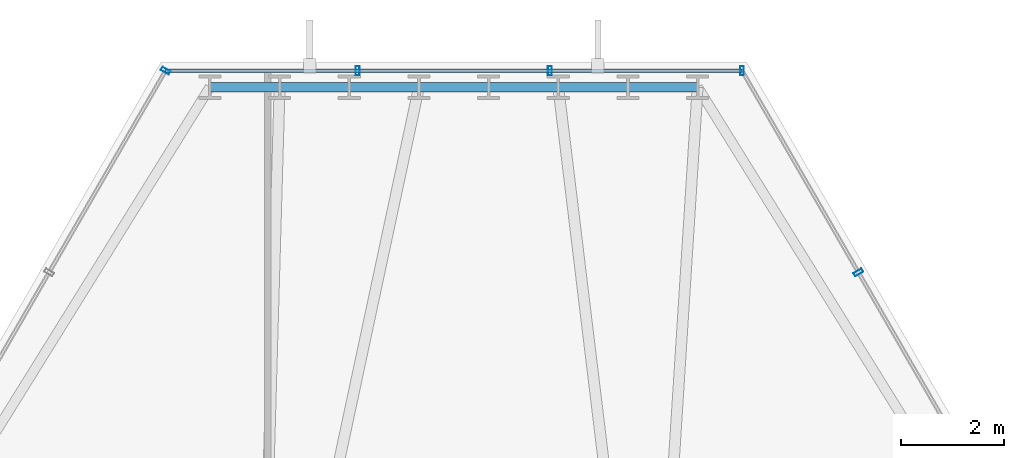
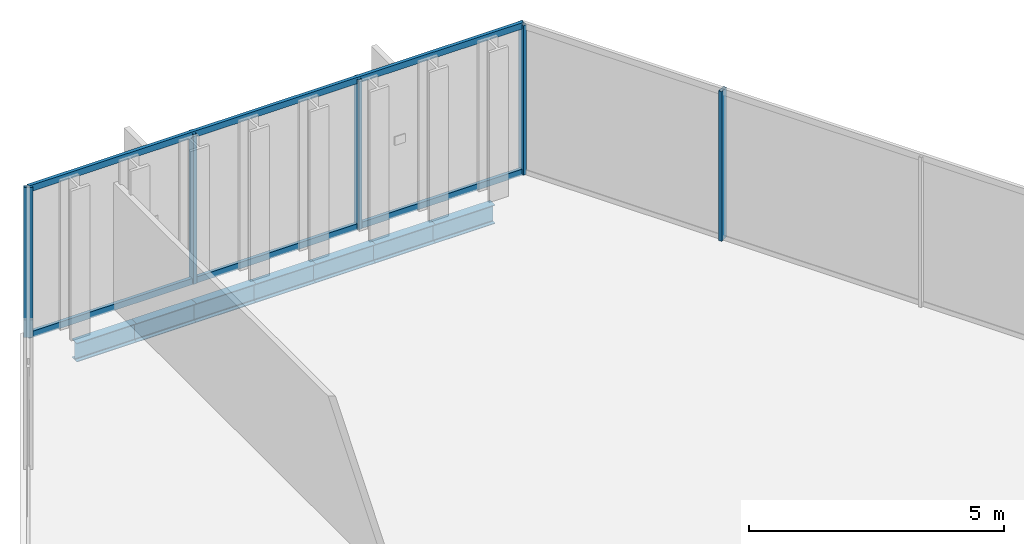
# One storey, part 23 of 33: 7 beams, 7 members, 3 elements without a shape of their own.
"""IFC4 building model written with IfcOpenShell, lengths in metres."""

from ifc_helpers import new_model, si_unit, direction, frame, origin, origin_2d, place, context, subcontext, project, spatial, hollow_rectangle, i_section, extrude, material, layer, layer_set, material_profile, profile_set, type_object, element, aggregate, save


model = new_model("IFC4")

# Units and contexts
model_context = context("Model", 3, precision=1e-05, world=origin(), true_north=direction((0.0, 1.0)))
body_context = subcontext(model_context, "Body", "Model", "MODEL_VIEW")
ifc_project = project(units=[si_unit("LENGTHUNIT", "METRE"), si_unit("AREAUNIT", "SQUARE_METRE"), si_unit("VOLUMEUNIT", "CUBIC_METRE"), si_unit("PLANEANGLEUNIT", "RADIAN"), si_unit("MASSUNIT", "GRAM", prefix="KILO")], contexts=[model_context])

# Site, building, storey
site_placement = place(None, origin())
site = spatial("IfcSite", under=ifc_project, at=site_placement, CompositionType="ELEMENT")
building_placement = place(site_placement, origin())
building = spatial("IfcBuilding", under=site, at=building_placement, Name="Ndaravel Arena Tower", CompositionType="ELEMENT")
storey_placement = place(building_placement, frame((0.0, 0.0, 153.60009765625)))
storey = spatial("IfcBuildingStorey", under=building, at=storey_placement, Name="L36", CompositionType="ELEMENT", Elevation=153.60009765625)

# Beams
ifc_material_1 = material(Name="Steel S355", Category="steel")
ifc_material_profile_1 = material_profile(ifc_material_1, i_section(OverallWidth=0.18994140625, OverallDepth=0.449951171875, WebThickness=0.009521484375, FlangeThickness=0.0146484375, FilletRadius=0.02099609375, at=origin_2d()), Name="IPE 450")
ifc_profile_set_1 = profile_set([ifc_material_profile_1], Name="Steel S355")
beam_type = type_object("IfcBeamType", Name="BM-SPAN-IPE450", PredefinedType="SPANDREL", material=ifc_profile_set_1)
for number, where, z_axis, x_axis, name in (
    (1, (46.731201171875, 45.833740234375, -0.445068359375), (-1.0, 0.0, 0.0), (0.0, -1.0, 0.0), "L36 Perimeter Spandrel Beam SP-11"),
    (2, (45.37939453125, 45.833740234375, -0.445068359375), (-1.0, 0.0, 0.0), (0.0, -1.0, 0.0), "L36 Perimeter Spandrel Beam SP-12"),
    (3, (44.027587890625, 45.833740234375, -0.445068359375), (-1.0, 0.0, 0.0), (0.0, -1.0, 0.0), "L36 Perimeter Spandrel Beam SP-13"),
):
    element("IfcBeam", number, at=place(storey_placement, frame(where, z_axis=z_axis, x_axis=x_axis)), inside=storey, type_object=beam_type, Name=name, PredefinedType="SPANDREL", context=body_context, shape_type="SweptSolid", body=[
        extrude(i_section(OverallWidth=0.18994140625, OverallDepth=0.449951171875, WebThickness=0.009521484375, FlangeThickness=0.0146484375, FilletRadius=0.02099609375, at=origin_2d()), origin(), (0.0, 0.0, 1.0), 1.351806640625),
    ])
beam_placement = place(storey_placement, frame((42.67578125, 45.833740234375, -0.445068359375), z_axis=(-1.0, 0.0, 0.0), x_axis=(0.0, -1.0, 0.0)))
element("IfcBeam", 4, at=beam_placement, inside=storey, type_object=beam_type, Name="L36 Perimeter Spandrel Beam SP-14", PredefinedType="SPANDREL", context=body_context, shape_type="SweptSolid", body=[
    extrude(i_section(OverallWidth=0.18994140625, OverallDepth=0.449951171875, WebThickness=0.009521484375, FlangeThickness=0.0146484375, FilletRadius=0.02099609375, at=origin_2d()), origin(), (0.0, 0.0, 1.0), 1.3515625),
])
for number, where, z_axis, x_axis, name in (
    (5, (41.32421875, 45.833740234375, -0.445068359375), (-1.0, 0.0, 0.0), (0.0, -1.0, 0.0), "L36 Perimeter Spandrel Beam SP-15"),
    (6, (39.972412109375, 45.833740234375, -0.445068359375), (-1.0, 0.0, 0.0), (0.0, -1.0, 0.0), "L36 Perimeter Spandrel Beam SP-16"),
    (7, (38.62060546875, 45.833740234375, -0.445068359375), (-1.0, 0.0, 0.0), (0.0, -1.0, 0.0), "L36 Perimeter Spandrel Beam SP-17"),
):
    element("IfcBeam", number, at=place(storey_placement, frame(where, z_axis=z_axis, x_axis=x_axis)), inside=storey, type_object=beam_type, Name=name, PredefinedType="SPANDREL", context=body_context, shape_type="SweptSolid", body=[
        extrude(i_section(OverallWidth=0.18994140625, OverallDepth=0.449951171875, WebThickness=0.009521484375, FlangeThickness=0.0146484375, FilletRadius=0.02099609375, at=origin_2d()), origin(), (0.0, 0.0, 1.0), 1.351806640625),
    ])

# Curtain wall, member
ifc_material_2 = material(Name="Aluminium", Category="aluminium")
ifc_layer_1 = layer(ifc_material_2, 0.179931640625)
ifc_layer_set_1 = layer_set([ifc_layer_1], Name="Aluminium")
curtain_wall_type_1 = type_object("IfcCurtainWallType", Name="CW-SYS-03", PredefinedType="NOTDEFINED", material=ifc_layer_set_1)
curtain_wall_1_placement = place(storey_placement, origin())
curtain_wall_1 = element("IfcCurtainWall", 8, at=curtain_wall_1_placement, inside=storey, type_object=curtain_wall_type_1, Name="L36 Faceted Crystal Curtain Wall CW-L36-E03", PredefinedType="NOTDEFINED")
ifc_material_3 = material(Name="Aluminium", Category="aluminium")
ifc_material_profile_2 = material_profile(ifc_material_3, hollow_rectangle(XDim=0.074951171875, YDim=0.179931640625, WallThickness=0.00390625, at=origin_2d()), Name="CW MULLION 75x180x4")
ifc_profile_set_2 = profile_set([ifc_material_profile_2], Name="Aluminium")
member_type_1 = type_object("IfcMemberType", Name="MEM-CW-MUL180", PredefinedType="MULLION", material=ifc_profile_set_2)
member_1_placement = place(storey_placement, frame((49.851318359375, 42.240234375, 0.0), z_axis=(0.0, 0.0, 1.0), x_axis=(-0.5, 0.866025403784, 0.0)))
member_1 = element("IfcMember", 9, at=member_1_placement, type_object=member_type_1, Name="CW-L36-E03 Mullion 07", PredefinedType="MULLION", context=body_context, shape_type="SweptSolid", body=[
    extrude(hollow_rectangle(XDim=0.074951171875, YDim=0.179931640625, WallThickness=0.00390625, at=origin_2d()), origin(), (0.0, 0.0, 1.0), 3.579833984375),
])
aggregate(curtain_wall_1, [member_1])

# Curtain wall, members
ifc_material_4 = material(Name="Aluminium", Category="aluminium")
ifc_layer_2 = layer(ifc_material_4, 0.179931640625)
ifc_layer_set_2 = layer_set([ifc_layer_2], Name="Aluminium")
curtain_wall_type_2 = type_object("IfcCurtainWallType", Name="CW-SYS-01", PredefinedType="NOTDEFINED", material=ifc_layer_set_2)
curtain_wall_2_placement = place(storey_placement, origin())
curtain_wall_2 = element("IfcCurtainWall", 10, at=curtain_wall_2_placement, inside=storey, type_object=curtain_wall_type_2, Name="L36 Faceted Crystal Curtain Wall CW-L36-E04", PredefinedType="NOTDEFINED")
member_2_placement = place(storey_placement, frame((47.591796875, 46.15380859375, 0.0), z_axis=(0.0, 0.0, 1.0), x_axis=(-1.0, 0.0, 0.0)))
member_2 = element("IfcMember", 11, at=member_2_placement, type_object=member_type_1, Name="CW-L36-E04 Mullion 00", PredefinedType="MULLION", context=body_context, shape_type="SweptSolid", body=[
    extrude(hollow_rectangle(XDim=0.074951171875, YDim=0.179931640625, WallThickness=0.00390625, at=origin_2d()), origin(), (0.0, 0.0, 1.0), 3.579833984375),
])
member_3_placement = place(storey_placement, frame((43.864013671875, 46.15380859375, 0.0), z_axis=(0.0, 0.0, 1.0), x_axis=(-1.0, 0.0, 0.0)))
member_3 = element("IfcMember", 12, at=member_3_placement, type_object=member_type_1, Name="CW-L36-E04 Mullion 01", PredefinedType="MULLION", context=body_context, shape_type="SweptSolid", body=[
    extrude(hollow_rectangle(XDim=0.074951171875, YDim=0.179931640625, WallThickness=0.00390625, at=origin_2d()), origin(), (0.0, 0.0, 1.0), 3.579833984375),
])
member_4_placement = place(storey_placement, frame((40.135986328125, 46.15380859375, 0.0), z_axis=(0.0, 0.0, 1.0), x_axis=(-1.0, 0.0, 0.0)))
member_4 = element("IfcMember", 13, at=member_4_placement, type_object=member_type_1, Name="CW-L36-E04 Mullion 02", PredefinedType="MULLION", context=body_context, shape_type="SweptSolid", body=[
    extrude(hollow_rectangle(XDim=0.074951171875, YDim=0.179931640625, WallThickness=0.00390625, at=origin_2d()), origin(), (0.0, 0.0, 1.0), 3.579833984375),
])

# Curtain wall, member
curtain_wall_3_placement = place(storey_placement, origin())
curtain_wall_3 = element("IfcCurtainWall", 14, at=curtain_wall_3_placement, inside=storey, type_object=curtain_wall_type_1, Name="L36 Faceted Crystal Curtain Wall CW-L36-E05", PredefinedType="NOTDEFINED")
member_5_placement = place(storey_placement, frame((36.408203125, 46.15380859375, 0.0), z_axis=(0.0, 0.0, 1.0), x_axis=(-0.5, -0.866025403784, 0.0)))
member_5 = element("IfcMember", 15, at=member_5_placement, type_object=member_type_1, Name="CW-L36-E05 Mullion 00", PredefinedType="MULLION", context=body_context, shape_type="SweptSolid", body=[
    extrude(hollow_rectangle(XDim=0.074951171875, YDim=0.179931640625, WallThickness=0.00390625, at=origin_2d()), origin(), (0.0, 0.0, 1.0), 3.579833984375),
])
aggregate(curtain_wall_3, [member_5])

# Member
ifc_material_5 = material(Name="Aluminium", Category="aluminium")
ifc_material_profile_3 = material_profile(ifc_material_5, hollow_rectangle(XDim=0.074951171875, YDim=0.14990234375, WallThickness=0.00390625, at=origin_2d()), Name="CW TRANSOM 75x150x4")
ifc_profile_set_3 = profile_set([ifc_material_profile_3], Name="Aluminium")
member_type_2 = type_object("IfcMemberType", Name="MEM-CW-TRN150", PredefinedType="USERDEFINED", material=ifc_profile_set_3)
member_6_placement = place(storey_placement, frame((47.591796875, 46.15380859375, 0.039794921875), z_axis=(-1.0, 0.0, 0.0), x_axis=(0.0, -1.0, 0.0)))
member_6 = element("IfcMember", 16, at=member_6_placement, type_object=member_type_2, Name="CW-L36-E04 Transom 01", ObjectType="TRANSOM", PredefinedType="USERDEFINED", context=body_context, shape_type="SweptSolid", body=[
    extrude(hollow_rectangle(XDim=0.074951171875, YDim=0.14990234375, WallThickness=0.00390625, at=origin_2d()), origin(), (0.0, 0.0, 1.0), 11.18359375),
])

member_7_placement = place(storey_placement, frame((47.591796875, 46.15380859375, 3.539794921875), z_axis=(-1.0, 0.0, 0.0), x_axis=(0.0, -1.0, 0.0)))
member_7 = element("IfcMember", 17, at=member_7_placement, type_object=member_type_2, Name="CW-L36-E04 Transom 02", ObjectType="TRANSOM", PredefinedType="USERDEFINED", context=body_context, shape_type="SweptSolid", body=[
    extrude(hollow_rectangle(XDim=0.074951171875, YDim=0.14990234375, WallThickness=0.00390625, at=origin_2d()), origin(), (0.0, 0.0, 1.0), 11.18359375),
])

aggregate(curtain_wall_2, [member_2, member_3, member_4, member_6, member_7])

save(model, "model.ifc")
